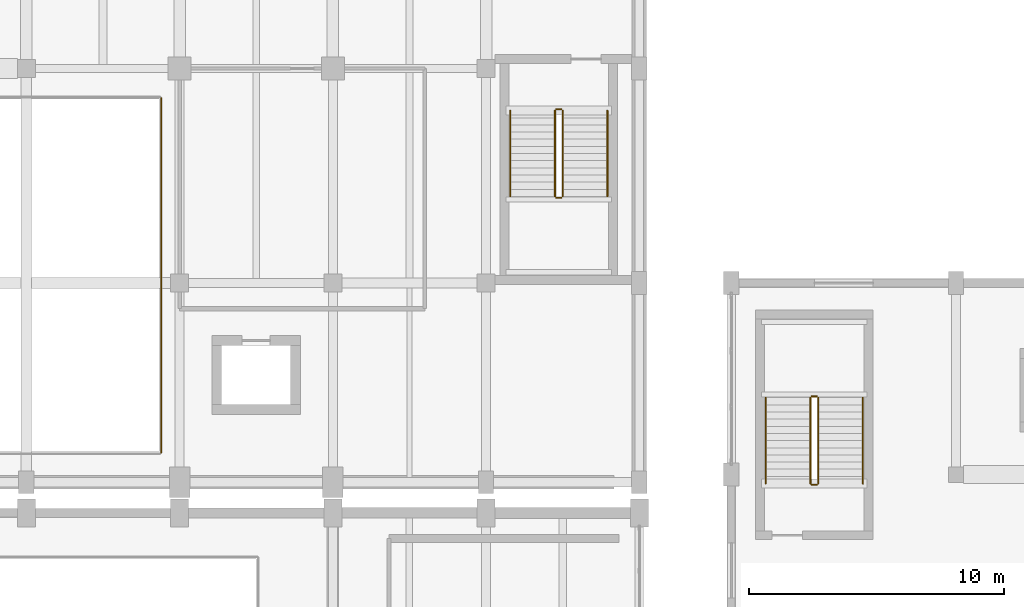
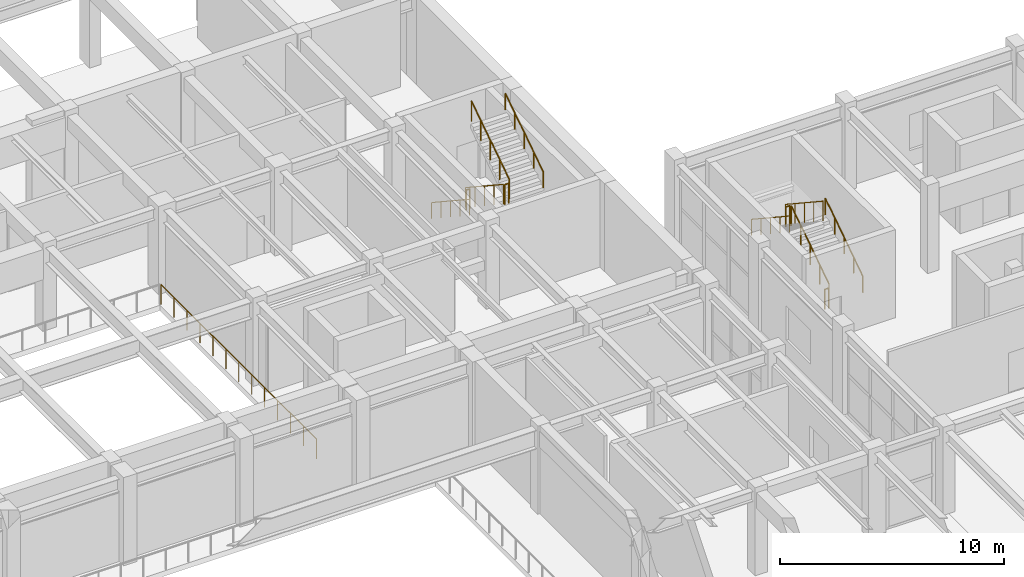
# One storey, part 83 of 85: 13 railings.
"""IFC4 building model written with IfcOpenShell, lengths in metres."""

from ifc_helpers import new_model, si_unit, direction, frame, origin, origin_2d, place, context, subcontext, project, spatial, circle, extrude, material, type_object, element, save


model = new_model("IFC4")

# Units and contexts
model_context = context("Model", 3, precision=1e-05, world=origin(), true_north=direction((0.0, 1.0)))
body_context = subcontext(model_context, "Body", "Model", "MODEL_VIEW")
ifc_project = project(units=[si_unit("LENGTHUNIT", "METRE"), si_unit("AREAUNIT", "SQUARE_METRE"), si_unit("VOLUMEUNIT", "CUBIC_METRE"), si_unit("PLANEANGLEUNIT", "RADIAN"), si_unit("MASSUNIT", "GRAM", prefix="KILO")], contexts=[model_context])

# Site, building, storey
site_placement = place(None, origin())
site = spatial("IfcSite", under=ifc_project, at=site_placement, CompositionType="ELEMENT")
building_placement = place(site_placement, origin())
building = spatial("IfcBuilding", under=site, at=building_placement, Name="Vaelkrest Opera House", CompositionType="ELEMENT")
storey_placement = place(building_placement, frame((0.0, 0.0, 10.199951171875)))
storey = spatial("IfcBuildingStorey", under=building, at=storey_placement, Name="L02", CompositionType="ELEMENT", Elevation=10.199951171875)

# Railings
ifc_material = material(Name="Dark bronze anodized aluminium", Category="aluminium")
railing_type_1 = type_object("IfcRailingType", Name="GR01", PredefinedType="GUARDRAIL", material=ifc_material)
railing_1_placement = place(storey_placement, frame((11.280029296875, 18.56005859375, 0.0)))
element("IfcRailing", 1, at=railing_1_placement, inside=storey, type_object=railing_type_1, Name="Atrium/stage void guard V2 L02-1 seg 2", PredefinedType="GUARDRAIL", context=body_context, shape_type="SweptSolid", body=[
    extrude(circle(Radius=0.02392578125, at=origin_2d()), frame((0.0, 0.0, 1.076171875), z_axis=(0.0, 1.0, 0.0), x_axis=(-1.0, 0.0, 0.0)), (0.0, 0.0, 1.0), 13.8798828125),
    extrude(circle(Radius=0.02099609375, at=origin_2d()), origin(), (0.0, 0.0, 1.0), 1.052001953125),
    extrude(circle(Radius=0.02099609375, at=origin_2d()), frame((0.0, 1.15673828125, 0.0)), (0.0, 0.0, 1.0), 1.052001953125),
    extrude(circle(Radius=0.02099609375, at=origin_2d()), frame((0.0, 2.313232421875, 0.0)), (0.0, 0.0, 1.0), 1.052001953125),
    extrude(circle(Radius=0.02099609375, at=origin_2d()), frame((0.0, 3.469970703125, 0.0)), (0.0, 0.0, 1.0), 1.052001953125),
    extrude(circle(Radius=0.02099609375, at=origin_2d()), frame((0.0, 4.626708984375, 0.0)), (0.0, 0.0, 1.0), 1.052001953125),
    extrude(circle(Radius=0.02099609375, at=origin_2d()), frame((0.0, 5.783203125, 0.0)), (0.0, 0.0, 1.0), 1.052001953125),
    extrude(circle(Radius=0.02099609375, at=origin_2d()), frame((0.0, 6.93994140625, 0.0)), (0.0, 0.0, 1.0), 1.052001953125),
    extrude(circle(Radius=0.02099609375, at=origin_2d()), frame((0.0, 8.0966796875, 0.0)), (0.0, 0.0, 1.0), 1.052001953125),
    extrude(circle(Radius=0.02099609375, at=origin_2d()), frame((0.0, 9.253173828125, 0.0)), (0.0, 0.0, 1.0), 1.052001953125),
    extrude(circle(Radius=0.02099609375, at=origin_2d()), frame((0.0, 10.409912109375, 0.0)), (0.0, 0.0, 1.0), 1.052001953125),
    extrude(circle(Radius=0.02099609375, at=origin_2d()), frame((0.0, 11.566650390625, 0.0)), (0.0, 0.0, 1.0), 1.052001953125),
    extrude(circle(Radius=0.02099609375, at=origin_2d()), frame((0.0, 12.72314453125, 0.0)), (0.0, 0.0, 1.0), 1.052001953125),
    extrude(circle(Radius=0.02099609375, at=origin_2d()), frame((0.0, 13.8798828125, 0.0)), (0.0, 0.0, 1.0), 1.052001953125),
])
railing_type_2 = type_object("IfcRailingType", Name="GR02", PredefinedType="GUARDRAIL", material=ifc_material)
railing_2_placement = place(storey_placement, frame((26.699951171875, 31.949951171875, 0.1845703125)))
element("IfcRailing", 2, at=railing_2_placement, inside=storey, type_object=railing_type_2, Name="L02 ST06 stair guard 1", PredefinedType="GUARDRAIL", context=body_context, shape_type="SweptSolid", body=[
    extrude(circle(Radius=0.02392578125, at=origin_2d()), frame((0.0, 0.0, 1.076171875), z_axis=(0.0, -0.83483021737, 0.550507500554), x_axis=(1.0, 0.0, 0.0)), (0.0, 0.0, 1.0), 4.024658203125),
    extrude(circle(Radius=0.02099609375, at=origin_2d()), origin(), (0.0, 0.0, 1.0), 1.052001953125),
    extrude(circle(Radius=0.02099609375, at=origin_2d()), frame((0.0, -0.83984375, 0.553955078125)), (0.0, 0.0, 1.0), 1.052001953125),
    extrude(circle(Radius=0.02099609375, at=origin_2d()), frame((0.0, -1.679931640625, 1.10791015625)), (0.0, 0.0, 1.0), 1.052001953125),
    extrude(circle(Radius=0.02099609375, at=origin_2d()), frame((0.0, -2.52001953125, 1.66162109375)), (0.0, 0.0, 1.0), 1.052001953125),
    extrude(circle(Radius=0.02099609375, at=origin_2d()), frame((0.0, -3.35986328125, 2.215576171875)), (0.0, 0.0, 1.0), 1.052001953125),
])
railing_3_placement = place(storey_placement, frame((26.75, 28.5400390625, 2.400146484375)))
element("IfcRailing", 3, at=railing_3_placement, inside=storey, type_object=railing_type_2, Name="L02 ST06 stair guard 2", PredefinedType="GUARDRAIL", context=body_context, shape_type="SweptSolid", body=[
    extrude(circle(Radius=0.02392578125, at=origin_2d()), frame((0.0, 0.0, 1.076171875), z_axis=(1.0, 0.0, 0.0), x_axis=(0.0, 1.0, 0.0)), (0.0, 0.0, 1.0), 0.199951171875),
    extrude(circle(Radius=0.02099609375, at=origin_2d()), origin(), (0.0, 0.0, 1.0), 1.052001953125),
    extrude(circle(Radius=0.02099609375, at=origin_2d()), frame((0.199951171875, 0.0, 0.0)), (0.0, 0.0, 1.0), 1.052001953125),
])
railing_4_placement = place(storey_placement, frame((27.0, 28.590087890625, 2.584716796875)))
element("IfcRailing", 4, at=railing_4_placement, inside=storey, type_object=railing_type_2, Name="L02 ST06 stair guard 3", PredefinedType="GUARDRAIL", context=body_context, shape_type="SweptSolid", body=[
    extrude(circle(Radius=0.02392578125, at=origin_2d()), frame((0.0, 0.0, 1.076171875), z_axis=(0.0, 0.834858096282, 0.550465220583), x_axis=(-1.0, 0.0, 0.0)), (0.0, 0.0, 1.0), 4.0244140625),
    extrude(circle(Radius=0.02099609375, at=origin_2d()), origin(), (0.0, 0.0, 1.0), 1.052001953125),
    extrude(circle(Radius=0.02099609375, at=origin_2d()), frame((0.0, 0.83984375, 0.5537109375)), (0.0, 0.0, 1.0), 1.052001953125),
    extrude(circle(Radius=0.02099609375, at=origin_2d()), frame((0.0, 1.679931640625, 1.107666015625)), (0.0, 0.0, 1.0), 1.052001953125),
    extrude(circle(Radius=0.02099609375, at=origin_2d()), frame((0.0, 2.52001953125, 1.66162109375)), (0.0, 0.0, 1.0), 1.052001953125),
    extrude(circle(Radius=0.02099609375, at=origin_2d()), frame((0.0, 3.35986328125, 2.21533203125)), (0.0, 0.0, 1.0), 1.052001953125),
])
railing_5_placement = place(storey_placement, frame((26.75, 32.0, 0.0)))
element("IfcRailing", 5, at=railing_5_placement, inside=storey, type_object=railing_type_2, Name="L02 ST06 stair guard 4", PredefinedType="GUARDRAIL", context=body_context, shape_type="SweptSolid", body=[
    extrude(circle(Radius=0.02392578125, at=origin_2d()), frame((0.0, 0.0, 1.076171875), z_axis=(1.0, 0.0, 0.0), x_axis=(0.0, 1.0, 0.0)), (0.0, 0.0, 1.0), 0.199951171875),
    extrude(circle(Radius=0.02099609375, at=origin_2d()), origin(), (0.0, 0.0, 1.0), 1.052001953125),
    extrude(circle(Radius=0.02099609375, at=origin_2d()), frame((0.199951171875, 0.0, 0.0)), (0.0, 0.0, 1.0), 1.052001953125),
])
railing_6_placement = place(storey_placement, frame((37.0, 17.35009765625, 0.1845703125)))
element("IfcRailing", 6, at=railing_6_placement, inside=storey, type_object=railing_type_2, Name="L02 ST09 stair guard 1", PredefinedType="GUARDRAIL", context=body_context, shape_type="SweptSolid", body=[
    extrude(circle(Radius=0.02392578125, at=origin_2d()), frame((0.0, 0.0, 1.076171875), z_axis=(0.0, 0.83483021737, 0.550507500554), x_axis=(-1.0, 0.0, 0.0)), (0.0, 0.0, 1.0), 4.024658203125),
    extrude(circle(Radius=0.02099609375, at=origin_2d()), origin(), (0.0, 0.0, 1.0), 1.052001953125),
    extrude(circle(Radius=0.02099609375, at=origin_2d()), frame((0.0, 0.83984375, 0.553955078125)), (0.0, 0.0, 1.0), 1.052001953125),
    extrude(circle(Radius=0.02099609375, at=origin_2d()), frame((0.0, 1.679931640625, 1.10791015625)), (0.0, 0.0, 1.0), 1.052001953125),
    extrude(circle(Radius=0.02099609375, at=origin_2d()), frame((0.0, 2.52001953125, 1.66162109375)), (0.0, 0.0, 1.0), 1.052001953125),
    extrude(circle(Radius=0.02099609375, at=origin_2d()), frame((0.0, 3.35986328125, 2.215576171875)), (0.0, 0.0, 1.0), 1.052001953125),
])
railing_7_placement = place(storey_placement, frame((36.949951171875, 20.760009765625, 2.400146484375)))
element("IfcRailing", 7, at=railing_7_placement, inside=storey, type_object=railing_type_2, Name="L02 ST09 stair guard 2", PredefinedType="GUARDRAIL", context=body_context, shape_type="SweptSolid", body=[
    extrude(circle(Radius=0.02392578125, at=origin_2d()), frame((0.0, 0.0, 1.076171875), z_axis=(-1.0, 0.0, 0.0), x_axis=(0.0, -1.0, 0.0)), (0.0, 0.0, 1.0), 0.199951171875),
    extrude(circle(Radius=0.02099609375, at=origin_2d()), origin(), (0.0, 0.0, 1.0), 1.052001953125),
    extrude(circle(Radius=0.02099609375, at=origin_2d()), frame((-0.199951171875, 0.0, 0.0)), (0.0, 0.0, 1.0), 1.052001953125),
])
railing_8_placement = place(storey_placement, frame((36.699951171875, 20.7099609375, 2.584716796875)))
element("IfcRailing", 8, at=railing_8_placement, inside=storey, type_object=railing_type_2, Name="L02 ST09 stair guard 3", PredefinedType="GUARDRAIL", context=body_context, shape_type="SweptSolid", body=[
    extrude(circle(Radius=0.02392578125, at=origin_2d()), frame((0.0, 0.0, 1.076171875), z_axis=(0.0, -0.834858096282, 0.550465220583), x_axis=(1.0, 0.0, 0.0)), (0.0, 0.0, 1.0), 4.0244140625),
    extrude(circle(Radius=0.02099609375, at=origin_2d()), origin(), (0.0, 0.0, 1.0), 1.052001953125),
    extrude(circle(Radius=0.02099609375, at=origin_2d()), frame((0.0, -0.83984375, 0.5537109375)), (0.0, 0.0, 1.0), 1.052001953125),
    extrude(circle(Radius=0.02099609375, at=origin_2d()), frame((0.0, -1.679931640625, 1.107666015625)), (0.0, 0.0, 1.0), 1.052001953125),
    extrude(circle(Radius=0.02099609375, at=origin_2d()), frame((0.0, -2.52001953125, 1.66162109375)), (0.0, 0.0, 1.0), 1.052001953125),
    extrude(circle(Radius=0.02099609375, at=origin_2d()), frame((0.0, -3.35986328125, 2.21533203125)), (0.0, 0.0, 1.0), 1.052001953125),
])
railing_9_placement = place(storey_placement, frame((36.949951171875, 17.300048828125, 0.0)))
element("IfcRailing", 9, at=railing_9_placement, inside=storey, type_object=railing_type_2, Name="L02 ST09 stair guard 4", PredefinedType="GUARDRAIL", context=body_context, shape_type="SweptSolid", body=[
    extrude(circle(Radius=0.02392578125, at=origin_2d()), frame((0.0, 0.0, 1.076171875), z_axis=(-1.0, 0.0, 0.0), x_axis=(0.0, -1.0, 0.0)), (0.0, 0.0, 1.0), 0.199951171875),
    extrude(circle(Radius=0.02099609375, at=origin_2d()), origin(), (0.0, 0.0, 1.0), 1.052001953125),
    extrude(circle(Radius=0.02099609375, at=origin_2d()), frame((-0.199951171875, 0.0, 0.0)), (0.0, 0.0, 1.0), 1.052001953125),
])
railing_type_3 = type_object("IfcRailingType", Name="HR02", PredefinedType="HANDRAIL", material=ifc_material)
railing_10_placement = place(storey_placement, frame((24.949951171875, 31.949951171875, 0.1845703125)))
element("IfcRailing", 10, at=railing_10_placement, inside=storey, type_object=railing_type_3, Name="L02 ST06 stair handrail 1", PredefinedType="HANDRAIL", context=body_context, shape_type="SweptSolid", body=[
    extrude(circle(Radius=0.02392578125, at=origin_2d()), frame((0.0, 0.0, 0.8759765625), z_axis=(0.0, -0.83483021737, 0.550507500554), x_axis=(1.0, 0.0, 0.0)), (0.0, 0.0, 1.0), 4.024658203125),
    extrude(circle(Radius=0.02099609375, at=origin_2d()), origin(), (0.0, 0.0, 1.0), 0.851806640625),
    extrude(circle(Radius=0.02099609375, at=origin_2d()), frame((0.0, -0.83984375, 0.553955078125)), (0.0, 0.0, 1.0), 0.851806640625),
    extrude(circle(Radius=0.02099609375, at=origin_2d()), frame((0.0, -1.679931640625, 1.10791015625)), (0.0, 0.0, 1.0), 0.851806640625),
    extrude(circle(Radius=0.02099609375, at=origin_2d()), frame((0.0, -2.52001953125, 1.66162109375)), (0.0, 0.0, 1.0), 0.851806640625),
    extrude(circle(Radius=0.02099609375, at=origin_2d()), frame((0.0, -3.35986328125, 2.215576171875)), (0.0, 0.0, 1.0), 0.851806640625),
])
railing_11_placement = place(storey_placement, frame((28.75, 28.590087890625, 2.584716796875)))
element("IfcRailing", 11, at=railing_11_placement, inside=storey, type_object=railing_type_3, Name="L02 ST06 stair handrail 2", PredefinedType="HANDRAIL", context=body_context, shape_type="SweptSolid", body=[
    extrude(circle(Radius=0.02392578125, at=origin_2d()), frame((0.0, 0.0, 0.8759765625), z_axis=(0.0, 0.834858096282, 0.550465220583), x_axis=(-1.0, 0.0, 0.0)), (0.0, 0.0, 1.0), 4.0244140625),
    extrude(circle(Radius=0.02099609375, at=origin_2d()), origin(), (0.0, 0.0, 1.0), 0.851806640625),
    extrude(circle(Radius=0.02099609375, at=origin_2d()), frame((0.0, 0.83984375, 0.5537109375)), (0.0, 0.0, 1.0), 0.851806640625),
    extrude(circle(Radius=0.02099609375, at=origin_2d()), frame((0.0, 1.679931640625, 1.107666015625)), (0.0, 0.0, 1.0), 0.851806640625),
    extrude(circle(Radius=0.02099609375, at=origin_2d()), frame((0.0, 2.52001953125, 1.66162109375)), (0.0, 0.0, 1.0), 0.851806640625),
    extrude(circle(Radius=0.02099609375, at=origin_2d()), frame((0.0, 3.35986328125, 2.21533203125)), (0.0, 0.0, 1.0), 0.851806640625),
])
railing_12_placement = place(storey_placement, frame((38.75, 17.35009765625, 0.1845703125)))
element("IfcRailing", 12, at=railing_12_placement, inside=storey, type_object=railing_type_3, Name="L02 ST09 stair handrail 1", PredefinedType="HANDRAIL", context=body_context, shape_type="SweptSolid", body=[
    extrude(circle(Radius=0.02392578125, at=origin_2d()), frame((0.0, 0.0, 0.8759765625), z_axis=(0.0, 0.83483021737, 0.550507500554), x_axis=(-1.0, 0.0, 0.0)), (0.0, 0.0, 1.0), 4.024658203125),
    extrude(circle(Radius=0.02099609375, at=origin_2d()), origin(), (0.0, 0.0, 1.0), 0.851806640625),
    extrude(circle(Radius=0.02099609375, at=origin_2d()), frame((0.0, 0.83984375, 0.553955078125)), (0.0, 0.0, 1.0), 0.851806640625),
    extrude(circle(Radius=0.02099609375, at=origin_2d()), frame((0.0, 1.679931640625, 1.10791015625)), (0.0, 0.0, 1.0), 0.851806640625),
    extrude(circle(Radius=0.02099609375, at=origin_2d()), frame((0.0, 2.52001953125, 1.66162109375)), (0.0, 0.0, 1.0), 0.851806640625),
    extrude(circle(Radius=0.02099609375, at=origin_2d()), frame((0.0, 3.35986328125, 2.215576171875)), (0.0, 0.0, 1.0), 0.851806640625),
])
railing_13_placement = place(storey_placement, frame((34.949951171875, 20.7099609375, 2.584716796875)))
element("IfcRailing", 13, at=railing_13_placement, inside=storey, type_object=railing_type_3, Name="L02 ST09 stair handrail 2", PredefinedType="HANDRAIL", context=body_context, shape_type="SweptSolid", body=[
    extrude(circle(Radius=0.02392578125, at=origin_2d()), frame((0.0, 0.0, 0.8759765625), z_axis=(0.0, -0.834858096282, 0.550465220583), x_axis=(1.0, 0.0, 0.0)), (0.0, 0.0, 1.0), 4.0244140625),
    extrude(circle(Radius=0.02099609375, at=origin_2d()), origin(), (0.0, 0.0, 1.0), 0.851806640625),
    extrude(circle(Radius=0.02099609375, at=origin_2d()), frame((0.0, -0.83984375, 0.5537109375)), (0.0, 0.0, 1.0), 0.851806640625),
    extrude(circle(Radius=0.02099609375, at=origin_2d()), frame((0.0, -1.679931640625, 1.107666015625)), (0.0, 0.0, 1.0), 0.851806640625),
    extrude(circle(Radius=0.02099609375, at=origin_2d()), frame((0.0, -2.52001953125, 1.66162109375)), (0.0, 0.0, 1.0), 0.851806640625),
    extrude(circle(Radius=0.02099609375, at=origin_2d()), frame((0.0, -3.35986328125, 2.21533203125)), (0.0, 0.0, 1.0), 0.851806640625),
])

save(model, "model.ifc")
